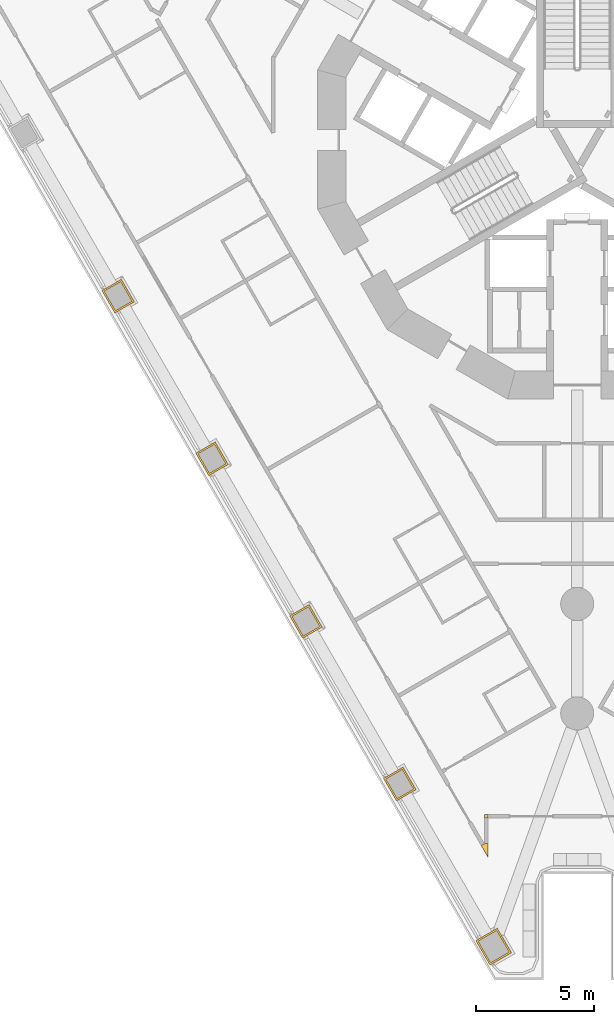
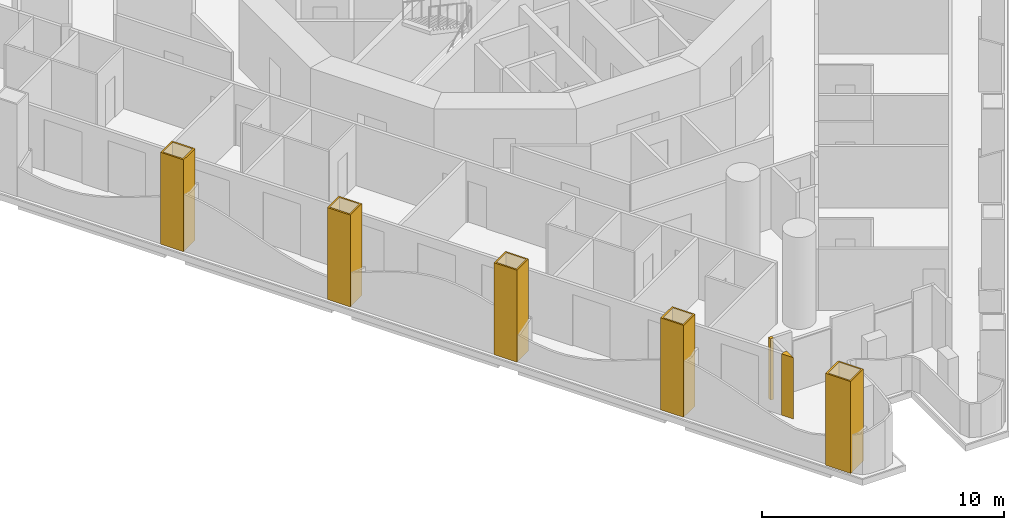
# One storey, part 11 of 19: 7 coverings.
"""IFC4 building model written with IfcOpenShell, lengths in metres."""

from ifc_helpers import new_model, si_unit, direction, frame, origin, place, context, subcontext, project, spatial, polyline, outline, extrude, material, layer, layer_set, type_object, element, save


model = new_model("IFC4")

# Units and contexts
model_context = context("Model", 3, precision=1e-05, world=origin(), true_north=direction((0.0, 1.0)))
body_context = subcontext(model_context, "Body", "Model", "MODEL_VIEW")
ifc_project = project(units=[si_unit("LENGTHUNIT", "METRE"), si_unit("AREAUNIT", "SQUARE_METRE"), si_unit("VOLUMEUNIT", "CUBIC_METRE"), si_unit("PLANEANGLEUNIT", "RADIAN"), si_unit("MASSUNIT", "GRAM", prefix="KILO")], contexts=[model_context])

# Site, building, storey
site_placement = place(None, origin())
site = spatial("IfcSite", under=ifc_project, at=site_placement, CompositionType="ELEMENT")
building_placement = place(site_placement, origin())
building = spatial("IfcBuilding", under=site, at=building_placement, Name="Trine Commons Tower", CompositionType="ELEMENT")
storey_placement = place(building_placement, frame((0.0, 0.0, 42.300048828125)))
storey = spatial("IfcBuildingStorey", under=building, at=storey_placement, Name="L09", CompositionType="ELEMENT", Elevation=42.300048828125)

# Coverings
ifc_material_1 = material(Name="Aluminium-framed insulated wall panel", Category="aluminium")
ifc_layer_1 = layer(ifc_material_1, 0.14990234375)
ifc_layer_set_1 = layer_set([ifc_layer_1], Name="Aluminium-framed insulated wall panel")
covering_type_1 = type_object("IfcCoveringType", Name="Glazing corner post, aluminium", PredefinedType="CLADDING", material=ifc_layer_set_1)
covering_1_placement = place(storey_placement, origin())
element("IfcCovering", 1, at=covering_1_placement, inside=storey, type_object=covering_type_1, Name="Glazing corner post 1-11", PredefinedType="CLADDING", context=body_context, shape_type="SweptSolid", body=[
    extrude(outline(polyline([(76.2099609375, 33.870849609375), (76.06005859375, 33.870849609375), (76.06005859375, 33.720703125), (76.2099609375, 33.720703125), (76.2099609375, 33.870849609375)])), origin(), (0.0, 0.0, 1.0), 3.099853515625),
])
covering_2_placement = place(storey_placement, origin())
element("IfcCovering", 2, at=covering_2_placement, inside=storey, type_object=covering_type_1, Name="Glazing corner post 1-12", PredefinedType="CLADDING", context=body_context, shape_type="SweptSolid", body=[
    extrude(outline(polyline([(75.93017578125, 32.56005859375), (76.2099609375, 32.0751953125), (76.2099609375, 32.635009765625), (76.06005859375, 32.635009765625), (75.93017578125, 32.56005859375)])), origin(), (0.0, 0.0, 1.0), 3.099853515625),
])
ifc_material_2 = material(Name="Limestone, honed", Category="masonry")
ifc_layer_2 = layer(ifc_material_2, 0.074951171875)
ifc_layer_set_2 = layer_set([ifc_layer_2], Name="Limestone, honed")
covering_type_2 = type_object("IfcCoveringType", Name="Limestone column cladding 75", PredefinedType="CLADDING", material=ifc_layer_set_2)
covering_3_placement = place(storey_placement, origin())
element("IfcCovering", 3, at=covering_3_placement, inside=storey, type_object=covering_type_2, Name="Limestone pier cladding 1-01", PredefinedType="CLADDING", context=body_context, shape_type="SweptSolid", body=[
    extrude(outline(polyline([(76.610107421875, 29.052001953125), (75.70068359375, 28.527099609375), (76.30078125, 27.48779296875), (77.210205078125, 28.012939453125), (76.610107421875, 29.052001953125)]), holes=[polyline([(76.582763671875, 28.94970703125), (75.80322265625, 28.499755859375), (76.328369140625, 27.59033203125), (77.107666015625, 28.040283203125), (76.582763671875, 28.94970703125)])]), origin(), (0.0, 0.0, 1.0), 4.641357421875),
])
covering_4_placement = place(storey_placement, origin())
element("IfcCovering", 4, at=covering_4_placement, inside=storey, type_object=covering_type_2, Name="Limestone pier cladding 1-02", PredefinedType="CLADDING", context=body_context, shape_type="SweptSolid", body=[
    extrude(outline(polyline([(72.610107421875, 35.88037109375), (71.787353515625, 35.4052734375), (72.33740234375, 34.45263671875), (73.16015625, 34.927734375), (72.610107421875, 35.88037109375)]), holes=[polyline([(72.582763671875, 35.77783203125), (71.889892578125, 35.3779296875), (72.364990234375, 34.55517578125), (73.0576171875, 34.955078125), (72.582763671875, 35.77783203125)])]), origin(), (0.0, 0.0, 1.0), 4.641357421875),
])
covering_5_placement = place(storey_placement, origin())
element("IfcCovering", 5, at=covering_5_placement, inside=storey, type_object=covering_type_2, Name="Limestone pier cladding 1-03", PredefinedType="CLADDING", context=body_context, shape_type="SweptSolid", body=[
    extrude(outline(polyline([(68.62841796875, 42.77685546875), (67.8056640625, 42.3017578125), (68.355712890625, 41.34912109375), (69.178466796875, 41.82421875), (68.62841796875, 42.77685546875)]), holes=[polyline([(68.60107421875, 42.67431640625), (67.908203125, 42.2744140625), (68.38330078125, 41.45166015625), (69.075927734375, 41.8515625), (68.60107421875, 42.67431640625)])]), origin(), (0.0, 0.0, 1.0), 4.641357421875),
])
covering_6_placement = place(storey_placement, origin())
element("IfcCovering", 6, at=covering_6_placement, inside=storey, type_object=covering_type_2, Name="Limestone pier cladding 1-04", PredefinedType="CLADDING", context=body_context, shape_type="SweptSolid", body=[
    extrude(outline(polyline([(64.64697265625, 49.67333984375), (63.82421875, 49.1982421875), (64.3740234375, 48.24560546875), (65.197021484375, 48.720703125), (64.64697265625, 49.67333984375)]), holes=[polyline([(64.619384765625, 49.57080078125), (63.926513671875, 49.1708984375), (64.401611328125, 48.34814453125), (65.094482421875, 48.748046875), (64.619384765625, 49.57080078125)])]), origin(), (0.0, 0.0, 1.0), 4.641357421875),
])
covering_7_placement = place(storey_placement, origin())
element("IfcCovering", 7, at=covering_7_placement, inside=storey, type_object=covering_type_2, Name="Limestone pier cladding 1-05", PredefinedType="CLADDING", context=body_context, shape_type="SweptSolid", body=[
    extrude(outline(polyline([(60.665283203125, 56.569580078125), (59.84228515625, 56.0947265625), (60.392333984375, 55.14208984375), (61.215087890625, 55.6171875), (60.665283203125, 56.569580078125)]), holes=[polyline([(60.6376953125, 56.46728515625), (59.94482421875, 56.0673828125), (60.419921875, 55.244384765625), (61.11279296875, 55.64453125), (60.6376953125, 56.46728515625)])]), origin(), (0.0, 0.0, 1.0), 4.641357421875),
])

save(model, "model.ifc")
